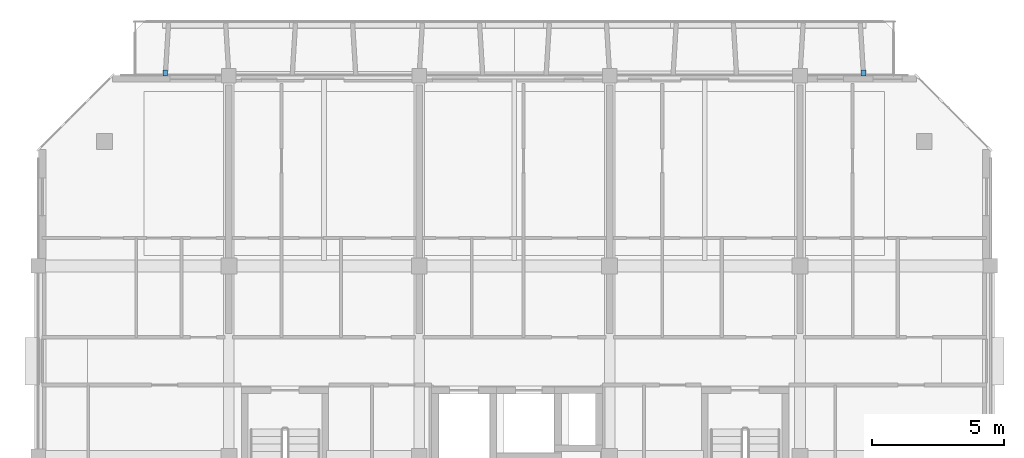
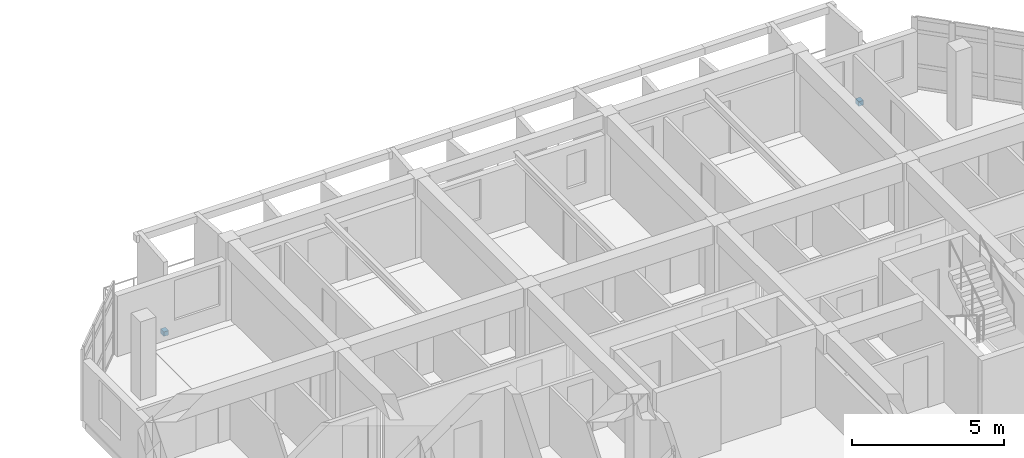
# One storey, part 32 of 43: 2 discrete accessories.
"""IFC4 building model written with IfcOpenShell, lengths in metres."""

from ifc_helpers import new_model, si_unit, direction, frame, origin, origin_2d, place, context, subcontext, project, spatial, rectangle, extrude, material, type_object, element, save


model = new_model("IFC4")

# Units and contexts
model_context = context("Model", 3, precision=1e-05, world=origin(), true_north=direction((0.0, 1.0)))
body_context = subcontext(model_context, "Body", "Model", "MODEL_VIEW")
ifc_project = project(units=[si_unit("LENGTHUNIT", "METRE"), si_unit("AREAUNIT", "SQUARE_METRE"), si_unit("VOLUMEUNIT", "CUBIC_METRE"), si_unit("PLANEANGLEUNIT", "RADIAN"), si_unit("MASSUNIT", "GRAM", prefix="KILO")], contexts=[model_context])

# Site, building, storey
site_placement = place(None, origin())
site = spatial("IfcSite", under=ifc_project, at=site_placement, CompositionType="ELEMENT")
building_placement = place(site_placement, origin())
building = spatial("IfcBuilding", under=site, at=building_placement, Name="Ochrevale Crest", CompositionType="ELEMENT")
storey_placement = place(building_placement, frame((0.0, 0.0, 15.0)))
storey = spatial("IfcBuildingStorey", under=building, at=storey_placement, Name="L04", CompositionType="ELEMENT", Elevation=15.0)

# Discrete accessories
ifc_material = material(Name="Galvanised steel", Category="steel")
discrete_accessory_type = type_object("IfcDiscreteAccessoryType", Name="ACC-BRK-HC", PredefinedType="BRACKET", material=ifc_material)
for number, where, z_axis, x_axis, name in (
    (1, (134.39990234375, 93.699951171875, 0.0), (0.0, 0.0, 1.0), (1.0, 0.0, 0.0), "Block D L04 precast loggia corbel bracket"),
    (2, (160.800048828125, 93.699951171875, 0.0), (0.0, 0.0, 1.0), (1.0, 0.0, 0.0), "Block D L04 precast loggia corbel bracket"),
):
    element("IfcDiscreteAccessory", number, at=place(storey_placement, frame(where, z_axis=z_axis, x_axis=x_axis)), inside=storey, type_object=discrete_accessory_type, Name=name, PredefinedType="BRACKET", context=body_context, shape_type="SweptSolid", body=[
        extrude(rectangle(XDim=0.179931640625, YDim=0.219970703125, at=origin_2d()), origin(), (0.0, 0.0, 1.0), 0.179931640625),
    ])

save(model, "model.ifc")
